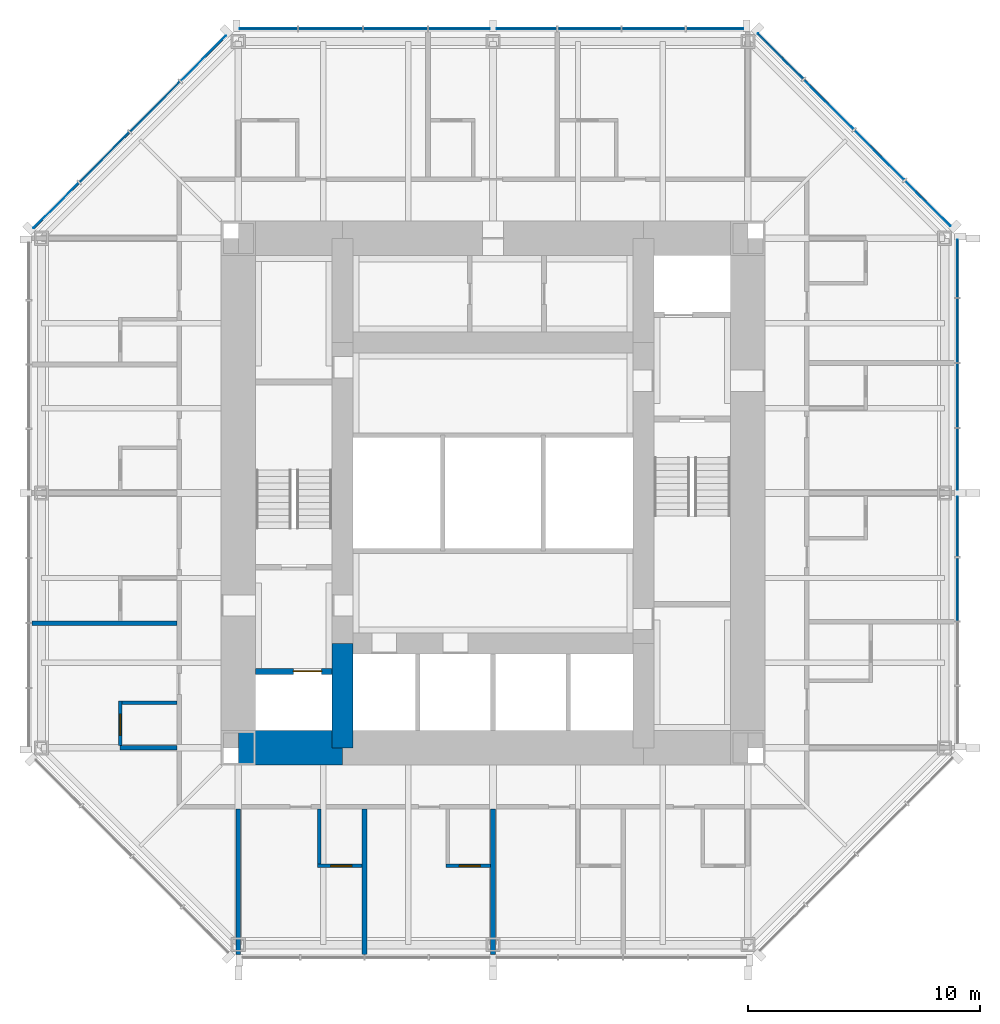
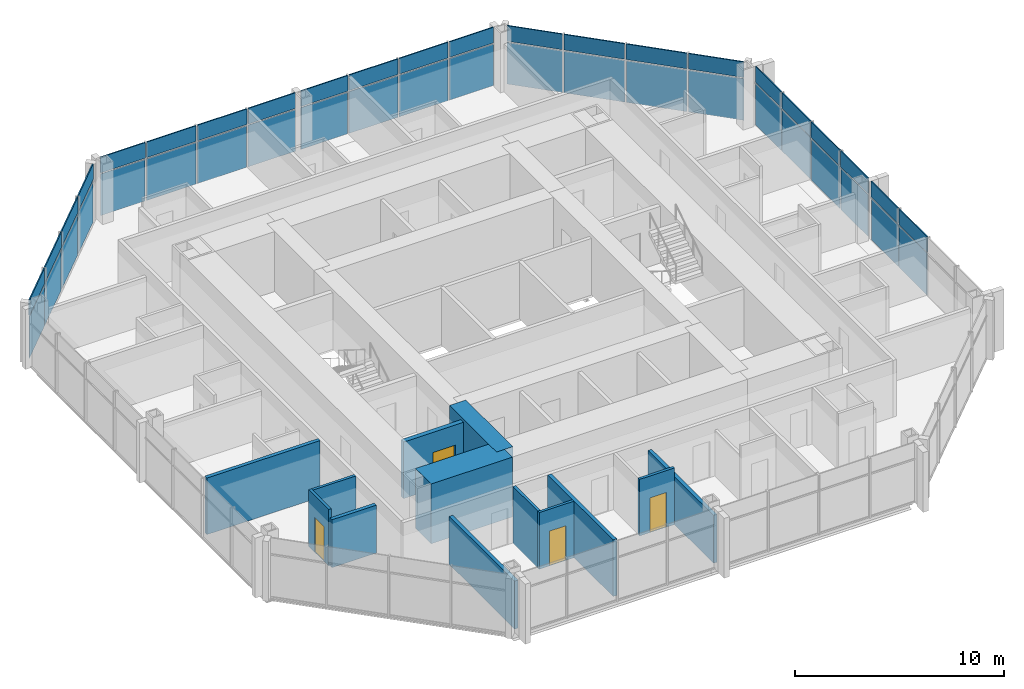
# One storey, part 7 of 12: 44 plates, 13 walls, 4 doors, 4 openings, 4 elements without a shape of their own.
"""IFC4 building model written with IfcOpenShell, lengths in metres."""

from ifc_helpers import new_model, si_unit, direction, frame, frame_2d, origin, origin_2d, place, context, subcontext, project, spatial, rectangle, extrude, material, layer, layer_set, type_object, element, fill, aggregate, save


model = new_model("IFC4")

# Units and contexts
model_context = context("Model", 3, precision=1e-05, world=origin(), true_north=direction((0.0, 1.0)))
body_context = subcontext(model_context, "Body", "Model", "MODEL_VIEW")
ifc_project = project(units=[si_unit("LENGTHUNIT", "METRE"), si_unit("AREAUNIT", "SQUARE_METRE"), si_unit("VOLUMEUNIT", "CUBIC_METRE"), si_unit("PLANEANGLEUNIT", "RADIAN"), si_unit("MASSUNIT", "GRAM", prefix="KILO")], contexts=[model_context])

# Site, building, storey
site_placement = place(None, origin())
site = spatial("IfcSite", under=ifc_project, at=site_placement, CompositionType="ELEMENT")
building_placement = place(site_placement, origin())
building = spatial("IfcBuilding", under=site, at=building_placement, Name="Trevanion Tower", CompositionType="ELEMENT")
storey_placement = place(building_placement, frame((0.0, 0.0, 201.199951171875)))
storey = spatial("IfcBuildingStorey", under=building, at=storey_placement, Name="L47", CompositionType="ELEMENT", Elevation=201.199951171875)

# Curtain wall, plates
ifc_material_1 = material(Name="Aluminium and glass", Category="aluminium")
curtain_wall_type = type_object("IfcCurtainWallType", Name="CW3 curtain wall", PredefinedType="USERDEFINED", material=ifc_material_1)
curtain_wall_1_placement = place(storey_placement, origin())
curtain_wall_1 = element("IfcCurtainWall", 1, at=curtain_wall_1_placement, inside=storey, type_object=curtain_wall_type, Name="CW3 L47 0", ObjectType="UNITISED CURTAIN WALL", PredefinedType="USERDEFINED")
ifc_material_2 = material(Name="Aluminium spandrel panel", Category="aluminium")
ifc_layer_1 = layer(ifc_material_2, 0.06005859375)
ifc_layer_set_1 = layer_set([ifc_layer_1], Name="CW3 spandrel panel")
plate_type_1 = type_object("IfcPlateType", Name="CW3 spandrel panel", PredefinedType="CURTAIN_PANEL", material=ifc_layer_set_1)
plate_1_placement = place(storey_placement, frame((20.050048828125, -4.16162109375, 2.3974609375), z_axis=(0.0, 0.0, 1.0), x_axis=(0.0, 1.0, 0.0)))
plate_1 = element("IfcPlate", 2, at=plate_1_placement, type_object=plate_type_1, Name="CW3 panel 3.2", PredefinedType="CURTAIN_PANEL", context=body_context, shape_type="SweptSolid", body=[
    extrude(rectangle(XDim=2.699462890625, YDim=0.06005859375, at=origin_2d()), origin(), (0.0, 0.0, 1.0), 0.91259765625),
])
plate_2_placement = place(storey_placement, frame((20.050048828125, -1.443603515625, 2.3974609375), z_axis=(0.0, 0.0, 1.0), x_axis=(0.0, 1.0, 0.0)))
plate_2 = element("IfcPlate", 3, at=plate_2_placement, type_object=plate_type_1, Name="CW3 panel 4.2", PredefinedType="CURTAIN_PANEL", context=body_context, shape_type="SweptSolid", body=[
    extrude(rectangle(XDim=2.5869140625, YDim=0.06005859375, at=origin_2d()), origin(), (0.0, 0.0, 1.0), 0.91259765625),
])
plate_3_placement = place(storey_placement, frame((20.050048828125, 1.459716796875, 2.3974609375), z_axis=(0.0, 0.0, 1.0), x_axis=(0.0, 1.0, 0.0)))
plate_3 = element("IfcPlate", 4, at=plate_3_placement, type_object=plate_type_1, Name="CW3 panel 5.2", PredefinedType="CURTAIN_PANEL", context=body_context, shape_type="SweptSolid", body=[
    extrude(rectangle(XDim=2.619384765625, YDim=0.06005859375, at=origin_2d()), origin(), (0.0, 0.0, 1.0), 0.91259765625),
])
plate_4_placement = place(storey_placement, frame((20.050048828125, 4.21044921875, 2.3974609375), z_axis=(0.0, 0.0, 1.0), x_axis=(0.0, 1.0, 0.0)))
plate_4 = element("IfcPlate", 5, at=plate_4_placement, type_object=plate_type_1, Name="CW3 panel 6.2", PredefinedType="CURTAIN_PANEL", context=body_context, shape_type="SweptSolid", body=[
    extrude(rectangle(XDim=2.73193359375, YDim=0.06005859375, at=origin_2d()), origin(), (0.0, 0.0, 1.0), 0.91259765625),
])
plate_5_placement = place(storey_placement, frame((20.050048828125, 7.017333984375, 2.3974609375), z_axis=(0.0, 0.0, 1.0), x_axis=(0.0, 1.0, 0.0)))
plate_5 = element("IfcPlate", 6, at=plate_5_placement, type_object=plate_type_1, Name="CW3 panel 7.2", PredefinedType="CURTAIN_PANEL", context=body_context, shape_type="SweptSolid", body=[
    extrude(rectangle(XDim=2.73193359375, YDim=0.06005859375, at=origin_2d()), origin(), (0.0, 0.0, 1.0), 0.91259765625),
])
plate_6_placement = place(storey_placement, frame((20.050048828125, 9.693115234375, 2.3974609375), z_axis=(0.0, 0.0, 1.0), x_axis=(0.0, 1.0, 0.0)))
plate_6 = element("IfcPlate", 7, at=plate_6_placement, type_object=plate_type_1, Name="CW3 panel 8.2", PredefinedType="CURTAIN_PANEL", context=body_context, shape_type="SweptSolid", body=[
    extrude(rectangle(XDim=2.469482421875, YDim=0.06005859375, at=origin_2d()), origin(), (0.0, 0.0, 1.0), 0.91259765625),
])

curtain_wall_2_placement = place(storey_placement, origin())
curtain_wall_2 = element("IfcCurtainWall", 8, at=curtain_wall_2_placement, inside=storey, type_object=curtain_wall_type, Name="CW3 L47 1", ObjectType="UNITISED CURTAIN WALL", PredefinedType="USERDEFINED")
plate_7_placement = place(storey_placement, frame((18.77392578125, 12.50390625, 2.3974609375), z_axis=(0.0, 0.0, 1.0), x_axis=(-0.707106781187, 0.707106781187, 0.0)))
plate_7 = element("IfcPlate", 9, at=plate_7_placement, type_object=plate_type_1, Name="CW3 panel 1.2", PredefinedType="CURTAIN_PANEL", context=body_context, shape_type="SweptSolid", body=[
    extrude(rectangle(XDim=2.7490234375, YDim=0.06005859375, at=origin_2d()), origin(), (0.0, 0.0, 1.0), 0.91259765625),
])
plate_8_placement = place(storey_placement, frame((16.68408203125, 14.593505859375, 2.3974609375), z_axis=(0.0, 0.0, 1.0), x_axis=(-0.707106781187, 0.707106781187, 0.0)))
plate_8 = element("IfcPlate", 10, at=plate_8_placement, type_object=plate_type_1, Name="CW3 panel 2.2", PredefinedType="CURTAIN_PANEL", context=body_context, shape_type="SweptSolid", body=[
    extrude(rectangle(XDim=3.01171875, YDim=0.06005859375, at=origin_2d()), origin(), (0.0, 0.0, 1.0), 0.91259765625),
])
plate_9_placement = place(storey_placement, frame((14.501708984375, 16.776123046875, 2.3974609375), z_axis=(0.0, 0.0, 1.0), x_axis=(-0.707106781187, 0.707106781187, 0.0)))
plate_9 = element("IfcPlate", 11, at=plate_9_placement, type_object=plate_type_1, Name="CW3 panel 3.2", PredefinedType="CURTAIN_PANEL", context=body_context, shape_type="SweptSolid", body=[
    extrude(rectangle(XDim=3.01171875, YDim=0.06005859375, at=origin_2d()), origin(), (0.0, 0.0, 1.0), 0.91259765625),
])
plate_10_placement = place(storey_placement, frame((12.411865234375, 18.865966796875, 2.3974609375), z_axis=(0.0, 0.0, 1.0), x_axis=(-0.707106781187, 0.707106781187, 0.0)))
plate_10 = element("IfcPlate", 12, at=plate_10_placement, type_object=plate_type_1, Name="CW3 panel 4.2", PredefinedType="CURTAIN_PANEL", context=body_context, shape_type="SweptSolid", body=[
    extrude(rectangle(XDim=2.7490234375, YDim=0.06005859375, at=origin_2d()), origin(), (0.0, 0.0, 1.0), 0.91259765625),
])

curtain_wall_3_placement = place(storey_placement, origin())
curtain_wall_3 = element("IfcCurtainWall", 13, at=curtain_wall_3_placement, inside=storey, type_object=curtain_wall_type, Name="CW3 L47 2", ObjectType="UNITISED CURTAIN WALL", PredefinedType="USERDEFINED")
plate_11_placement = place(storey_placement, frame((9.579345703125, 20.050048828125, 2.3974609375), z_axis=(0.0, 0.0, 1.0), x_axis=(-1.0, 0.0, 0.0)))
plate_11 = element("IfcPlate", 14, at=plate_11_placement, type_object=plate_type_1, Name="CW3 panel 1.2", PredefinedType="CURTAIN_PANEL", context=body_context, shape_type="SweptSolid", body=[
    extrude(rectangle(XDim=2.43701171875, YDim=0.06005859375, at=origin_2d()), origin(), (0.0, 0.0, 1.0), 0.91259765625),
])
plate_12_placement = place(storey_placement, frame((6.93603515625, 20.050048828125, 2.3974609375), z_axis=(0.0, 0.0, 1.0), x_axis=(-1.0, 0.0, 0.0)))
plate_12 = element("IfcPlate", 15, at=plate_12_placement, type_object=plate_type_1, Name="CW3 panel 2.2", PredefinedType="CURTAIN_PANEL", context=body_context, shape_type="SweptSolid", body=[
    extrude(rectangle(XDim=2.699462890625, YDim=0.06005859375, at=origin_2d()), origin(), (0.0, 0.0, 1.0), 0.91259765625),
])
plate_13_placement = place(storey_placement, frame((4.16162109375, 20.050048828125, 2.3974609375), z_axis=(0.0, 0.0, 1.0), x_axis=(-1.0, 0.0, 0.0)))
plate_13 = element("IfcPlate", 16, at=plate_13_placement, type_object=plate_type_1, Name="CW3 panel 3.2", PredefinedType="CURTAIN_PANEL", context=body_context, shape_type="SweptSolid", body=[
    extrude(rectangle(XDim=2.699462890625, YDim=0.06005859375, at=origin_2d()), origin(), (0.0, 0.0, 1.0), 0.91259765625),
])
plate_14_placement = place(storey_placement, frame((1.443603515625, 20.050048828125, 2.3974609375), z_axis=(0.0, 0.0, 1.0), x_axis=(-1.0, 0.0, 0.0)))
plate_14 = element("IfcPlate", 17, at=plate_14_placement, type_object=plate_type_1, Name="CW3 panel 4.2", PredefinedType="CURTAIN_PANEL", context=body_context, shape_type="SweptSolid", body=[
    extrude(rectangle(XDim=2.5869140625, YDim=0.06005859375, at=origin_2d()), origin(), (0.0, 0.0, 1.0), 0.91259765625),
])
plate_15_placement = place(storey_placement, frame((-1.459716796875, 20.050048828125, 2.3974609375), z_axis=(0.0, 0.0, 1.0), x_axis=(-1.0, 0.0, 0.0)))
plate_15 = element("IfcPlate", 18, at=plate_15_placement, type_object=plate_type_1, Name="CW3 panel 5.2", PredefinedType="CURTAIN_PANEL", context=body_context, shape_type="SweptSolid", body=[
    extrude(rectangle(XDim=2.619384765625, YDim=0.06005859375, at=origin_2d()), origin(), (0.0, 0.0, 1.0), 0.91259765625),
])
plate_16_placement = place(storey_placement, frame((-4.21044921875, 20.050048828125, 2.3974609375), z_axis=(0.0, 0.0, 1.0), x_axis=(-1.0, 0.0, 0.0)))
plate_16 = element("IfcPlate", 19, at=plate_16_placement, type_object=plate_type_1, Name="CW3 panel 6.2", PredefinedType="CURTAIN_PANEL", context=body_context, shape_type="SweptSolid", body=[
    extrude(rectangle(XDim=2.73193359375, YDim=0.06005859375, at=origin_2d()), origin(), (0.0, 0.0, 1.0), 0.91259765625),
])
plate_17_placement = place(storey_placement, frame((-7.017333984375, 20.050048828125, 2.3974609375), z_axis=(0.0, 0.0, 1.0), x_axis=(-1.0, 0.0, 0.0)))
plate_17 = element("IfcPlate", 20, at=plate_17_placement, type_object=plate_type_1, Name="CW3 panel 7.2", PredefinedType="CURTAIN_PANEL", context=body_context, shape_type="SweptSolid", body=[
    extrude(rectangle(XDim=2.73193359375, YDim=0.06005859375, at=origin_2d()), origin(), (0.0, 0.0, 1.0), 0.91259765625),
])
plate_18_placement = place(storey_placement, frame((-9.693115234375, 20.050048828125, 2.3974609375), z_axis=(0.0, 0.0, 1.0), x_axis=(-1.0, 0.0, 0.0)))
plate_18 = element("IfcPlate", 21, at=plate_18_placement, type_object=plate_type_1, Name="CW3 panel 8.2", PredefinedType="CURTAIN_PANEL", context=body_context, shape_type="SweptSolid", body=[
    extrude(rectangle(XDim=2.469482421875, YDim=0.06005859375, at=origin_2d()), origin(), (0.0, 0.0, 1.0), 0.91259765625),
])

curtain_wall_4_placement = place(storey_placement, origin())
curtain_wall_4 = element("IfcCurtainWall", 22, at=curtain_wall_4_placement, inside=storey, type_object=curtain_wall_type, Name="CW3 L47 3", ObjectType="UNITISED CURTAIN WALL", PredefinedType="USERDEFINED")
plate_19_placement = place(storey_placement, frame((-12.50390625, 18.77392578125, 2.3974609375), z_axis=(0.0, 0.0, 1.0), x_axis=(-0.707106781187, -0.707106781187, 0.0)))
plate_19 = element("IfcPlate", 23, at=plate_19_placement, type_object=plate_type_1, Name="CW3 panel 1.2", PredefinedType="CURTAIN_PANEL", context=body_context, shape_type="SweptSolid", body=[
    extrude(rectangle(XDim=2.7490234375, YDim=0.06005859375, at=origin_2d()), origin(), (0.0, 0.0, 1.0), 0.91259765625),
])
plate_20_placement = place(storey_placement, frame((-14.593505859375, 16.68408203125, 2.3974609375), z_axis=(0.0, 0.0, 1.0), x_axis=(-0.707106781187, -0.707106781187, 0.0)))
plate_20 = element("IfcPlate", 24, at=plate_20_placement, type_object=plate_type_1, Name="CW3 panel 2.2", PredefinedType="CURTAIN_PANEL", context=body_context, shape_type="SweptSolid", body=[
    extrude(rectangle(XDim=3.01171875, YDim=0.06005859375, at=origin_2d()), origin(), (0.0, 0.0, 1.0), 0.91259765625),
])
plate_21_placement = place(storey_placement, frame((-16.776123046875, 14.501708984375, 2.3974609375), z_axis=(0.0, 0.0, 1.0), x_axis=(-0.707106781187, -0.707106781187, 0.0)))
plate_21 = element("IfcPlate", 25, at=plate_21_placement, type_object=plate_type_1, Name="CW3 panel 3.2", PredefinedType="CURTAIN_PANEL", context=body_context, shape_type="SweptSolid", body=[
    extrude(rectangle(XDim=3.01171875, YDim=0.06005859375, at=origin_2d()), origin(), (0.0, 0.0, 1.0), 0.91259765625),
])
plate_22_placement = place(storey_placement, frame((-18.865966796875, 12.411865234375, 2.3974609375), z_axis=(0.0, 0.0, 1.0), x_axis=(-0.707106781187, -0.707106781187, 0.0)))
plate_22 = element("IfcPlate", 26, at=plate_22_placement, type_object=plate_type_1, Name="CW3 panel 4.2", PredefinedType="CURTAIN_PANEL", context=body_context, shape_type="SweptSolid", body=[
    extrude(rectangle(XDim=2.7490234375, YDim=0.06005859375, at=origin_2d()), origin(), (0.0, 0.0, 1.0), 0.91259765625),
])

# Plate
ifc_material_3 = material(Name="Insulating glass unit", Category="glass")
ifc_layer_2 = layer(ifc_material_3, 0.028076171875)
ifc_layer_set_2 = layer_set([ifc_layer_2], Name="CW3 vision panel")
plate_type_2 = type_object("IfcPlateType", Name="CW3 vision panel", PredefinedType="CURTAIN_PANEL", material=ifc_layer_set_2)
plate_23_placement = place(storey_placement, frame((20.050048828125, -4.16162109375, -0.114990234375), z_axis=(0.0, 0.0, 1.0), x_axis=(0.0, 1.0, 0.0)))
plate_23 = element("IfcPlate", 27, at=plate_23_placement, type_object=plate_type_2, Name="CW3 panel 3.1", PredefinedType="CURTAIN_PANEL", context=body_context, shape_type="SweptSolid", body=[
    extrude(rectangle(XDim=2.699462890625, YDim=0.028076171875, at=origin_2d()), origin(), (0.0, 0.0, 1.0), 2.4375),
])

plate_24_placement = place(storey_placement, frame((20.050048828125, -1.443603515625, -0.114990234375), z_axis=(0.0, 0.0, 1.0), x_axis=(0.0, 1.0, 0.0)))
plate_24 = element("IfcPlate", 28, at=plate_24_placement, type_object=plate_type_2, Name="CW3 panel 4.1", PredefinedType="CURTAIN_PANEL", context=body_context, shape_type="SweptSolid", body=[
    extrude(rectangle(XDim=2.5869140625, YDim=0.028076171875, at=origin_2d()), origin(), (0.0, 0.0, 1.0), 2.4375),
])

plate_25_placement = place(storey_placement, frame((20.050048828125, 1.459716796875, -0.114990234375), z_axis=(0.0, 0.0, 1.0), x_axis=(0.0, 1.0, 0.0)))
plate_25 = element("IfcPlate", 29, at=plate_25_placement, type_object=plate_type_2, Name="CW3 panel 5.1", PredefinedType="CURTAIN_PANEL", context=body_context, shape_type="SweptSolid", body=[
    extrude(rectangle(XDim=2.619384765625, YDim=0.028076171875, at=origin_2d()), origin(), (0.0, 0.0, 1.0), 2.4375),
])

plate_26_placement = place(storey_placement, frame((20.050048828125, 4.21044921875, -0.114990234375), z_axis=(0.0, 0.0, 1.0), x_axis=(0.0, 1.0, 0.0)))
plate_26 = element("IfcPlate", 30, at=plate_26_placement, type_object=plate_type_2, Name="CW3 panel 6.1", PredefinedType="CURTAIN_PANEL", context=body_context, shape_type="SweptSolid", body=[
    extrude(rectangle(XDim=2.73193359375, YDim=0.028076171875, at=origin_2d()), origin(), (0.0, 0.0, 1.0), 2.4375),
])

plate_27_placement = place(storey_placement, frame((20.050048828125, 7.017333984375, -0.114990234375), z_axis=(0.0, 0.0, 1.0), x_axis=(0.0, 1.0, 0.0)))
plate_27 = element("IfcPlate", 31, at=plate_27_placement, type_object=plate_type_2, Name="CW3 panel 7.1", PredefinedType="CURTAIN_PANEL", context=body_context, shape_type="SweptSolid", body=[
    extrude(rectangle(XDim=2.73193359375, YDim=0.028076171875, at=origin_2d()), origin(), (0.0, 0.0, 1.0), 2.4375),
])

plate_28_placement = place(storey_placement, frame((20.050048828125, 9.693115234375, -0.114990234375), z_axis=(0.0, 0.0, 1.0), x_axis=(0.0, 1.0, 0.0)))
plate_28 = element("IfcPlate", 32, at=plate_28_placement, type_object=plate_type_2, Name="CW3 panel 8.1", PredefinedType="CURTAIN_PANEL", context=body_context, shape_type="SweptSolid", body=[
    extrude(rectangle(XDim=2.469482421875, YDim=0.028076171875, at=origin_2d()), origin(), (0.0, 0.0, 1.0), 2.4375),
])

aggregate(curtain_wall_1, [plate_23, plate_1, plate_24, plate_2, plate_25, plate_3, plate_26, plate_4, plate_27, plate_5, plate_28, plate_6])

plate_29_placement = place(storey_placement, frame((18.77392578125, 12.50390625, -0.114990234375), z_axis=(0.0, 0.0, 1.0), x_axis=(-0.707106781187, 0.707106781187, 0.0)))
plate_29 = element("IfcPlate", 33, at=plate_29_placement, type_object=plate_type_2, Name="CW3 panel 1.1", PredefinedType="CURTAIN_PANEL", context=body_context, shape_type="SweptSolid", body=[
    extrude(rectangle(XDim=2.7490234375, YDim=0.028076171875, at=origin_2d()), origin(), (0.0, 0.0, 1.0), 2.4375),
])

plate_30_placement = place(storey_placement, frame((16.68408203125, 14.593505859375, -0.114990234375), z_axis=(0.0, 0.0, 1.0), x_axis=(-0.707106781187, 0.707106781187, 0.0)))
plate_30 = element("IfcPlate", 34, at=plate_30_placement, type_object=plate_type_2, Name="CW3 panel 2.1", PredefinedType="CURTAIN_PANEL", context=body_context, shape_type="SweptSolid", body=[
    extrude(rectangle(XDim=3.01171875, YDim=0.028076171875, at=origin_2d()), origin(), (0.0, 0.0, 1.0), 2.4375),
])

plate_31_placement = place(storey_placement, frame((14.501708984375, 16.776123046875, -0.114990234375), z_axis=(0.0, 0.0, 1.0), x_axis=(-0.707106781187, 0.707106781187, 0.0)))
plate_31 = element("IfcPlate", 35, at=plate_31_placement, type_object=plate_type_2, Name="CW3 panel 3.1", PredefinedType="CURTAIN_PANEL", context=body_context, shape_type="SweptSolid", body=[
    extrude(rectangle(XDim=3.01171875, YDim=0.028076171875, at=origin_2d()), origin(), (0.0, 0.0, 1.0), 2.4375),
])

plate_32_placement = place(storey_placement, frame((12.411865234375, 18.865966796875, -0.114990234375), z_axis=(0.0, 0.0, 1.0), x_axis=(-0.707106781187, 0.707106781187, 0.0)))
plate_32 = element("IfcPlate", 36, at=plate_32_placement, type_object=plate_type_2, Name="CW3 panel 4.1", PredefinedType="CURTAIN_PANEL", context=body_context, shape_type="SweptSolid", body=[
    extrude(rectangle(XDim=2.7490234375, YDim=0.028076171875, at=origin_2d()), origin(), (0.0, 0.0, 1.0), 2.4375),
])

aggregate(curtain_wall_2, [plate_29, plate_7, plate_30, plate_8, plate_31, plate_9, plate_32, plate_10])

plate_33_placement = place(storey_placement, frame((9.579345703125, 20.050048828125, -0.114990234375), z_axis=(0.0, 0.0, 1.0), x_axis=(-1.0, 0.0, 0.0)))
plate_33 = element("IfcPlate", 37, at=plate_33_placement, type_object=plate_type_2, Name="CW3 panel 1.1", PredefinedType="CURTAIN_PANEL", context=body_context, shape_type="SweptSolid", body=[
    extrude(rectangle(XDim=2.43701171875, YDim=0.028076171875, at=origin_2d()), origin(), (0.0, 0.0, 1.0), 2.4375),
])

plate_34_placement = place(storey_placement, frame((6.93603515625, 20.050048828125, -0.114990234375), z_axis=(0.0, 0.0, 1.0), x_axis=(-1.0, 0.0, 0.0)))
plate_34 = element("IfcPlate", 38, at=plate_34_placement, type_object=plate_type_2, Name="CW3 panel 2.1", PredefinedType="CURTAIN_PANEL", context=body_context, shape_type="SweptSolid", body=[
    extrude(rectangle(XDim=2.699462890625, YDim=0.028076171875, at=origin_2d()), origin(), (0.0, 0.0, 1.0), 2.4375),
])

plate_35_placement = place(storey_placement, frame((4.16162109375, 20.050048828125, -0.114990234375), z_axis=(0.0, 0.0, 1.0), x_axis=(-1.0, 0.0, 0.0)))
plate_35 = element("IfcPlate", 39, at=plate_35_placement, type_object=plate_type_2, Name="CW3 panel 3.1", PredefinedType="CURTAIN_PANEL", context=body_context, shape_type="SweptSolid", body=[
    extrude(rectangle(XDim=2.699462890625, YDim=0.028076171875, at=origin_2d()), origin(), (0.0, 0.0, 1.0), 2.4375),
])

plate_36_placement = place(storey_placement, frame((1.443603515625, 20.050048828125, -0.114990234375), z_axis=(0.0, 0.0, 1.0), x_axis=(-1.0, 0.0, 0.0)))
plate_36 = element("IfcPlate", 40, at=plate_36_placement, type_object=plate_type_2, Name="CW3 panel 4.1", PredefinedType="CURTAIN_PANEL", context=body_context, shape_type="SweptSolid", body=[
    extrude(rectangle(XDim=2.5869140625, YDim=0.028076171875, at=origin_2d()), origin(), (0.0, 0.0, 1.0), 2.4375),
])

plate_37_placement = place(storey_placement, frame((-1.459716796875, 20.050048828125, -0.114990234375), z_axis=(0.0, 0.0, 1.0), x_axis=(-1.0, 0.0, 0.0)))
plate_37 = element("IfcPlate", 41, at=plate_37_placement, type_object=plate_type_2, Name="CW3 panel 5.1", PredefinedType="CURTAIN_PANEL", context=body_context, shape_type="SweptSolid", body=[
    extrude(rectangle(XDim=2.619384765625, YDim=0.028076171875, at=origin_2d()), origin(), (0.0, 0.0, 1.0), 2.4375),
])

plate_38_placement = place(storey_placement, frame((-4.21044921875, 20.050048828125, -0.114990234375), z_axis=(0.0, 0.0, 1.0), x_axis=(-1.0, 0.0, 0.0)))
plate_38 = element("IfcPlate", 42, at=plate_38_placement, type_object=plate_type_2, Name="CW3 panel 6.1", PredefinedType="CURTAIN_PANEL", context=body_context, shape_type="SweptSolid", body=[
    extrude(rectangle(XDim=2.73193359375, YDim=0.028076171875, at=origin_2d()), origin(), (0.0, 0.0, 1.0), 2.4375),
])

plate_39_placement = place(storey_placement, frame((-7.017333984375, 20.050048828125, -0.114990234375), z_axis=(0.0, 0.0, 1.0), x_axis=(-1.0, 0.0, 0.0)))
plate_39 = element("IfcPlate", 43, at=plate_39_placement, type_object=plate_type_2, Name="CW3 panel 7.1", PredefinedType="CURTAIN_PANEL", context=body_context, shape_type="SweptSolid", body=[
    extrude(rectangle(XDim=2.73193359375, YDim=0.028076171875, at=origin_2d()), origin(), (0.0, 0.0, 1.0), 2.4375),
])

plate_40_placement = place(storey_placement, frame((-9.693115234375, 20.050048828125, -0.114990234375), z_axis=(0.0, 0.0, 1.0), x_axis=(-1.0, 0.0, 0.0)))
plate_40 = element("IfcPlate", 44, at=plate_40_placement, type_object=plate_type_2, Name="CW3 panel 8.1", PredefinedType="CURTAIN_PANEL", context=body_context, shape_type="SweptSolid", body=[
    extrude(rectangle(XDim=2.469482421875, YDim=0.028076171875, at=origin_2d()), origin(), (0.0, 0.0, 1.0), 2.4375),
])

aggregate(curtain_wall_3, [plate_33, plate_11, plate_34, plate_12, plate_35, plate_13, plate_36, plate_14, plate_37, plate_15, plate_38, plate_16, plate_39, plate_17, plate_40, plate_18])

plate_41_placement = place(storey_placement, frame((-12.50390625, 18.77392578125, -0.114990234375), z_axis=(0.0, 0.0, 1.0), x_axis=(-0.707106781187, -0.707106781187, 0.0)))
plate_41 = element("IfcPlate", 45, at=plate_41_placement, type_object=plate_type_2, Name="CW3 panel 1.1", PredefinedType="CURTAIN_PANEL", context=body_context, shape_type="SweptSolid", body=[
    extrude(rectangle(XDim=2.7490234375, YDim=0.028076171875, at=origin_2d()), origin(), (0.0, 0.0, 1.0), 2.4375),
])

plate_42_placement = place(storey_placement, frame((-14.593505859375, 16.68408203125, -0.114990234375), z_axis=(0.0, 0.0, 1.0), x_axis=(-0.707106781187, -0.707106781187, 0.0)))
plate_42 = element("IfcPlate", 46, at=plate_42_placement, type_object=plate_type_2, Name="CW3 panel 2.1", PredefinedType="CURTAIN_PANEL", context=body_context, shape_type="SweptSolid", body=[
    extrude(rectangle(XDim=3.01171875, YDim=0.028076171875, at=origin_2d()), origin(), (0.0, 0.0, 1.0), 2.4375),
])

plate_43_placement = place(storey_placement, frame((-16.776123046875, 14.501708984375, -0.114990234375), z_axis=(0.0, 0.0, 1.0), x_axis=(-0.707106781187, -0.707106781187, 0.0)))
plate_43 = element("IfcPlate", 47, at=plate_43_placement, type_object=plate_type_2, Name="CW3 panel 3.1", PredefinedType="CURTAIN_PANEL", context=body_context, shape_type="SweptSolid", body=[
    extrude(rectangle(XDim=3.01171875, YDim=0.028076171875, at=origin_2d()), origin(), (0.0, 0.0, 1.0), 2.4375),
])

plate_44_placement = place(storey_placement, frame((-18.865966796875, 12.411865234375, -0.114990234375), z_axis=(0.0, 0.0, 1.0), x_axis=(-0.707106781187, -0.707106781187, 0.0)))
plate_44 = element("IfcPlate", 48, at=plate_44_placement, type_object=plate_type_2, Name="CW3 panel 4.1", PredefinedType="CURTAIN_PANEL", context=body_context, shape_type="SweptSolid", body=[
    extrude(rectangle(XDim=2.7490234375, YDim=0.028076171875, at=origin_2d()), origin(), (0.0, 0.0, 1.0), 2.4375),
])

aggregate(curtain_wall_4, [plate_41, plate_19, plate_42, plate_20, plate_43, plate_21, plate_44, plate_22])

# Walls
ifc_material_4 = material(Name="Concrete 10,000 psi", Category="concrete")
ifc_layer_3 = layer(ifc_material_4, 1.5)
ifc_layer_set_3 = layer_set([ifc_layer_3], Name="CW1 core wall 1500")
wall_type_1 = type_object("IfcWallType", Name="CW1 core wall 1500", PredefinedType="SHEAR", material=ifc_layer_set_3)
wall_1_placement = place(storey_placement, frame((-11.0, -11.0, 0.0), z_axis=(0.0, 0.0, 1.0), x_axis=(1.0, 0.0, 0.0)))
element("IfcWall", 49, at=wall_1_placement, inside=storey, type_object=wall_type_1, Name="CW1 CS1 L47", PredefinedType="SHEAR", context=body_context, shape_type="SweptSolid", body=[
    extrude(rectangle(XDim=4.5, YDim=1.5, at=frame_2d((2.25, 0.0))), origin(), (0.0, 0.0, 1.0), 3.5),
])
ifc_material_5 = material(Name="Concrete 10,000 psi", Category="concrete")
ifc_layer_4 = layer(ifc_material_5, 0.89990234375)
ifc_layer_set_4 = layer_set([ifc_layer_4], Name="CW2 core wall 900")
wall_type_2 = type_object("IfcWallType", Name="CW2 core wall 900", PredefinedType="SHEAR", material=ifc_layer_set_4)
wall_2_placement = place(storey_placement, frame((-6.5, -6.5, 0.0), z_axis=(0.0, 0.0, 1.0), x_axis=(0.0, -1.0, 0.0)))
element("IfcWall", 50, at=wall_2_placement, inside=storey, type_object=wall_type_2, Name="CW2 RW3 L47", PredefinedType="SHEAR", context=body_context, shape_type="SweptSolid", body=[
    extrude(rectangle(XDim=4.5, YDim=0.89990234375, at=frame_2d((2.25, 0.0))), origin(), (0.0, 0.0, 1.0), 3.5),
])

# Wall, opening, door
ifc_material_6 = material(Name="Gypsum board on steel studs", Category="steel")
ifc_layer_5 = layer(ifc_material_6, 0.14990234375)
ifc_layer_set_5 = layer_set([ifc_layer_5], Name="PT1 partition 150")
wall_type_3 = type_object("IfcWallType", Name="PT1 partition 150", PredefinedType="PARTITIONING", material=ifc_layer_set_5)
wall_3_placement = place(storey_placement, frame((-16.10009765625, -8.97509765625, 0.0), z_axis=(0.0, 0.0, 1.0), x_axis=(0.0, -1.0, 0.0)))
wall_3 = element("IfcWall", 51, at=wall_3_placement, inside=storey, type_object=wall_type_3, Name="PT1 L47 BA23", PredefinedType="PARTITIONING", context=body_context, shape_type="SweptSolid", body=[
    extrude(rectangle(XDim=1.9248046875, YDim=0.14990234375, at=frame_2d((0.96240234375, 0.0))), origin(), (0.0, 0.0, 1.0), 3.31005859375),
])
opening_1_placement = place(wall_3_placement, frame((0.5673828125, 0.0, 0.0)))
opening_1 = element("IfcOpeningElement", 52, at=opening_1_placement, cuts=wall_3, Name="Opening 47-036", PredefinedType="OPENING", context=body_context, shape_type="SweptSolid", body=[
    extrude(rectangle(XDim=0.9150390625, YDim=2.031982421875, at=frame_2d((0.45751953125, 1.01611328125))), frame((0.0, 0.0849609375, 0.0), z_axis=(0.0, -1.0, 0.0), x_axis=(1.0, 0.0, 0.0)), (0.0, 0.0, 1.0), 0.169921875),
])
ifc_material_7 = material(Name="Timber veneer", Category="wood")
door_type_1 = type_object("IfcDoorType", Name="D7 bathroom door", OperationType="SINGLE_SWING_LEFT", PredefinedType="DOOR", material=ifc_material_7)
door_1_placement = place(opening_1_placement, origin())
door_1 = element("IfcDoor", 53, at=door_1_placement, inside=storey, type_object=door_type_1, Name="Door 47-036", OperationType="SINGLE_SWING_LEFT", OverallHeight=2.031982421875, OverallWidth=0.9150390625, PredefinedType="DOOR", context=body_context, shape_type="SweptSolid", body=[
    extrude(rectangle(XDim=0.9150390625, YDim=2.031982421875, at=frame_2d((0.45751953125, 1.01611328125))), frame((0.0, 0.02490234375, 0.0), z_axis=(0.0, -1.0, 0.0), x_axis=(1.0, 0.0, 0.0)), (0.0, 0.0, 1.0), 0.050048828125),
])
fill(opening_1, door_1)

# Wall
wall_4_placement = place(storey_placement, frame((-13.64990234375, -9.050048828125, 0.0), z_axis=(0.0, 0.0, 1.0), x_axis=(-1.0, 0.0, 0.0)))
element("IfcWall", 54, at=wall_4_placement, inside=storey, type_object=wall_type_3, Name="PT1 L47 BB23", PredefinedType="PARTITIONING", context=body_context, shape_type="SweptSolid", body=[
    extrude(rectangle(XDim=2.375, YDim=0.14990234375, at=frame_2d((1.1875, 0.0))), origin(), (0.0, 0.0, 1.0), 3.31005859375),
])

# Wall, opening, door
wall_5_placement = place(storey_placement, frame((-7.573974609375, -16.10009765625, 0.0), z_axis=(0.0, 0.0, 1.0), x_axis=(1.0, 0.0, 0.0)))
wall_5 = element("IfcWall", 55, at=wall_5_placement, inside=storey, type_object=wall_type_3, Name="PT1 L47 BA30", PredefinedType="PARTITIONING", context=body_context, shape_type="SweptSolid", body=[
    extrude(rectangle(XDim=1.925048828125, YDim=0.14990234375, at=frame_2d((0.96240234375, 0.0))), origin(), (0.0, 0.0, 1.0), 3.31005859375),
])
opening_2_placement = place(wall_5_placement, frame((0.5673828125, 0.0, 0.0)))
opening_2 = element("IfcOpeningElement", 56, at=opening_2_placement, cuts=wall_5, Name="Opening 47-038", PredefinedType="OPENING", context=body_context, shape_type="SweptSolid", body=[
    extrude(rectangle(XDim=0.9150390625, YDim=2.031982421875, at=frame_2d((0.45751953125, 1.01611328125))), frame((0.0, 0.0849609375, 0.0), z_axis=(0.0, -1.0, 0.0), x_axis=(1.0, 0.0, 0.0)), (0.0, 0.0, 1.0), 0.169921875),
])
door_2_placement = place(opening_2_placement, origin())
door_2 = element("IfcDoor", 57, at=door_2_placement, inside=storey, type_object=door_type_1, Name="Door 47-038", OperationType="SINGLE_SWING_LEFT", OverallHeight=2.031982421875, OverallWidth=0.9150390625, PredefinedType="DOOR", context=body_context, shape_type="SweptSolid", body=[
    extrude(rectangle(XDim=0.9150390625, YDim=2.031982421875, at=frame_2d((0.45751953125, 1.01611328125))), frame((0.0, 0.02490234375, 0.0), z_axis=(0.0, -1.0, 0.0), x_axis=(1.0, 0.0, 0.0)), (0.0, 0.0, 1.0), 0.050048828125),
])
fill(opening_2, door_2)

# Wall
wall_6_placement = place(storey_placement, frame((-7.4990234375, -13.64990234375, 0.0), z_axis=(0.0, 0.0, 1.0), x_axis=(0.0, -1.0, 0.0)))
element("IfcWall", 58, at=wall_6_placement, inside=storey, type_object=wall_type_3, Name="PT1 L47 BB30", PredefinedType="PARTITIONING", context=body_context, shape_type="SweptSolid", body=[
    extrude(rectangle(XDim=2.375, YDim=0.14990234375, at=frame_2d((1.1875, 0.0))), origin(), (0.0, 0.0, 1.0), 3.31005859375),
])

# Wall, opening, door
wall_7_placement = place(storey_placement, frame((-2.02490234375, -16.10009765625, 0.0), z_axis=(0.0, 0.0, 1.0), x_axis=(1.0, 0.0, 0.0)))
wall_7 = element("IfcWall", 59, at=wall_7_placement, inside=storey, type_object=wall_type_3, Name="PT1 L47 BA31", PredefinedType="PARTITIONING", context=body_context, shape_type="SweptSolid", body=[
    extrude(rectangle(XDim=1.9248046875, YDim=0.14990234375, at=frame_2d((0.96240234375, 0.0))), origin(), (0.0, 0.0, 1.0), 3.31005859375),
])
opening_3_placement = place(wall_7_placement, frame((0.5673828125, 0.0, 0.0)))
opening_3 = element("IfcOpeningElement", 60, at=opening_3_placement, cuts=wall_7, Name="Opening 47-040", PredefinedType="OPENING", context=body_context, shape_type="SweptSolid", body=[
    extrude(rectangle(XDim=0.9150390625, YDim=2.031982421875, at=frame_2d((0.45751953125, 1.01611328125))), frame((0.0, 0.0849609375, 0.0), z_axis=(0.0, -1.0, 0.0), x_axis=(1.0, 0.0, 0.0)), (0.0, 0.0, 1.0), 0.169921875),
])
door_3_placement = place(opening_3_placement, origin())
door_3 = element("IfcDoor", 61, at=door_3_placement, inside=storey, type_object=door_type_1, Name="Door 47-040", OperationType="SINGLE_SWING_LEFT", OverallHeight=2.031982421875, OverallWidth=0.9150390625, PredefinedType="DOOR", context=body_context, shape_type="SweptSolid", body=[
    extrude(rectangle(XDim=0.9150390625, YDim=2.031982421875, at=frame_2d((0.45751953125, 1.01611328125))), frame((0.0, 0.02490234375, 0.0), z_axis=(0.0, -1.0, 0.0), x_axis=(1.0, 0.0, 0.0)), (0.0, 0.0, 1.0), 0.050048828125),
])
fill(opening_3, door_3)

# Walls
ifc_material_8 = material(Name="Concrete masonry, grouted", Category="masonry")
ifc_layer_6 = layer(ifc_material_8, 0.199951171875)
ifc_layer_set_6 = layer_set([ifc_layer_6], Name="PT2 partition 200 1 HR")
wall_type_4 = type_object("IfcWallType", Name="PT2 partition 200 1 HR", PredefinedType="PARTITIONING", material=ifc_layer_set_6)
wall_8_placement = place(storey_placement, frame((-13.64990234375, -5.614013671875, 0.0), z_axis=(0.0, 0.0, 1.0), x_axis=(-1.0, 0.0, 0.0)))
element("IfcWall", 62, at=wall_8_placement, inside=storey, type_object=wall_type_4, Name="PT2 L47 HD23", PredefinedType="PARTITIONING", context=body_context, shape_type="SweptSolid", body=[
    extrude(rectangle(XDim=6.26513671875, YDim=0.199951171875, at=frame_2d((3.132568359375, 0.0))), origin(), (0.0, 0.0, 1.0), 3.31005859375),
])
wall_9_placement = place(storey_placement, frame((-13.64990234375, -11.0, 0.0), z_axis=(0.0, 0.0, 1.0), x_axis=(-1.0, 0.0, 0.0)))
element("IfcWall", 63, at=wall_9_placement, inside=storey, type_object=wall_type_4, Name="PT2 L47 BC23", PredefinedType="PARTITIONING", context=body_context, shape_type="SweptSolid", body=[
    extrude(rectangle(XDim=2.4501953125, YDim=0.199951171875, at=frame_2d((1.22509765625, 0.0))), origin(), (0.0, 0.0, 1.0), 2.802001953125),
])
wall_10_placement = place(storey_placement, frame((-11.0, -13.64990234375, 0.0), z_axis=(0.0, 0.0, 1.0), x_axis=(0.0, -1.0, 0.0)))
element("IfcWall", 64, at=wall_10_placement, inside=storey, type_object=wall_type_4, Name="PT2 L47 HD30", PredefinedType="PARTITIONING", context=body_context, shape_type="SweptSolid", body=[
    extrude(rectangle(XDim=6.26513671875, YDim=0.199951171875, at=frame_2d((3.132568359375, 0.0))), origin(), (0.0, 0.0, 1.0), 2.802001953125),
])
wall_11_placement = place(storey_placement, frame((-5.549072265625, -13.64990234375, 0.0), z_axis=(0.0, 0.0, 1.0), x_axis=(0.0, -1.0, 0.0)))
element("IfcWall", 65, at=wall_11_placement, inside=storey, type_object=wall_type_4, Name="PT2 L47 HD31", PredefinedType="PARTITIONING", context=body_context, shape_type="SweptSolid", body=[
    extrude(rectangle(XDim=6.26513671875, YDim=0.199951171875, at=frame_2d((3.132568359375, 0.0))), origin(), (0.0, 0.0, 1.0), 3.31005859375),
])
wall_12_placement = place(storey_placement, frame((0.0, -13.64990234375, 0.0), z_axis=(0.0, 0.0, 1.0), x_axis=(0.0, -1.0, 0.0)))
element("IfcWall", 66, at=wall_12_placement, inside=storey, type_object=wall_type_4, Name="PT2 L47 HD32", PredefinedType="PARTITIONING", context=body_context, shape_type="SweptSolid", body=[
    extrude(rectangle(XDim=6.26513671875, YDim=0.199951171875, at=frame_2d((3.132568359375, 0.0))), origin(), (0.0, 0.0, 1.0), 2.802001953125),
])

# Wall, opening, door
ifc_material_9 = material(Name="Concrete masonry, grouted, two-hour", Category="masonry")
ifc_layer_7 = layer(ifc_material_9, 0.25)
ifc_layer_set_7 = layer_set([ifc_layer_7], Name="PT3 partition 250 2 HR")
wall_type_5 = type_object("IfcWallType", Name="PT3 partition 250 2 HR", PredefinedType="PARTITIONING", material=ifc_layer_set_7)
wall_13_placement = place(storey_placement, frame((-6.949951171875, -7.699951171875, 0.0), z_axis=(0.0, 0.0, 1.0), x_axis=(-1.0, 0.0, 0.0)))
wall_13 = element("IfcWall", 67, at=wall_13_placement, inside=storey, type_object=wall_type_5, Name="PT3 L47 WP3", PredefinedType="PARTITIONING", context=body_context, shape_type="SweptSolid", body=[
    extrude(rectangle(XDim=3.300048828125, YDim=0.25, at=frame_2d((1.64990234375, 0.0))), origin(), (0.0, 0.0, 1.0), 3.31005859375),
])
opening_4_placement = place(wall_13_placement, frame((0.449951171875, 0.0, 0.0)))
opening_4 = element("IfcOpeningElement", 68, at=opening_4_placement, cuts=wall_13, Name="Opening 47-008", PredefinedType="OPENING", context=body_context, shape_type="SweptSolid", body=[
    extrude(rectangle(XDim=1.218994140625, YDim=2.134033203125, at=frame_2d((0.609375, 1.06689453125))), frame((0.0, 0.135009765625, 0.0), z_axis=(0.0, -1.0, 0.0), x_axis=(1.0, 0.0, 0.0)), (0.0, 0.0, 1.0), 0.27001953125),
])
ifc_material_10 = material(Name="Stainless steel, fire rated", Category="steel")
door_type_2 = type_object("IfcDoorType", Name="LD2 fire service lift landing door", OperationType="SLIDING_TO_LEFT", PredefinedType="DOOR", material=ifc_material_10)
door_4_placement = place(opening_4_placement, origin())
door_4 = element("IfcDoor", 69, at=door_4_placement, inside=storey, type_object=door_type_2, Name="Door 47-008", OperationType="SLIDING_TO_LEFT", OverallHeight=2.134033203125, OverallWidth=1.218994140625, PredefinedType="DOOR", context=body_context, shape_type="SweptSolid", body=[
    extrude(rectangle(XDim=1.218994140625, YDim=2.134033203125, at=frame_2d((0.609375, 1.06689453125))), frame((0.0, 0.02490234375, 0.0), z_axis=(0.0, -1.0, 0.0), x_axis=(1.0, 0.0, 0.0)), (0.0, 0.0, 1.0), 0.050048828125),
])
fill(opening_4, door_4)

save(model, "model.ifc")
